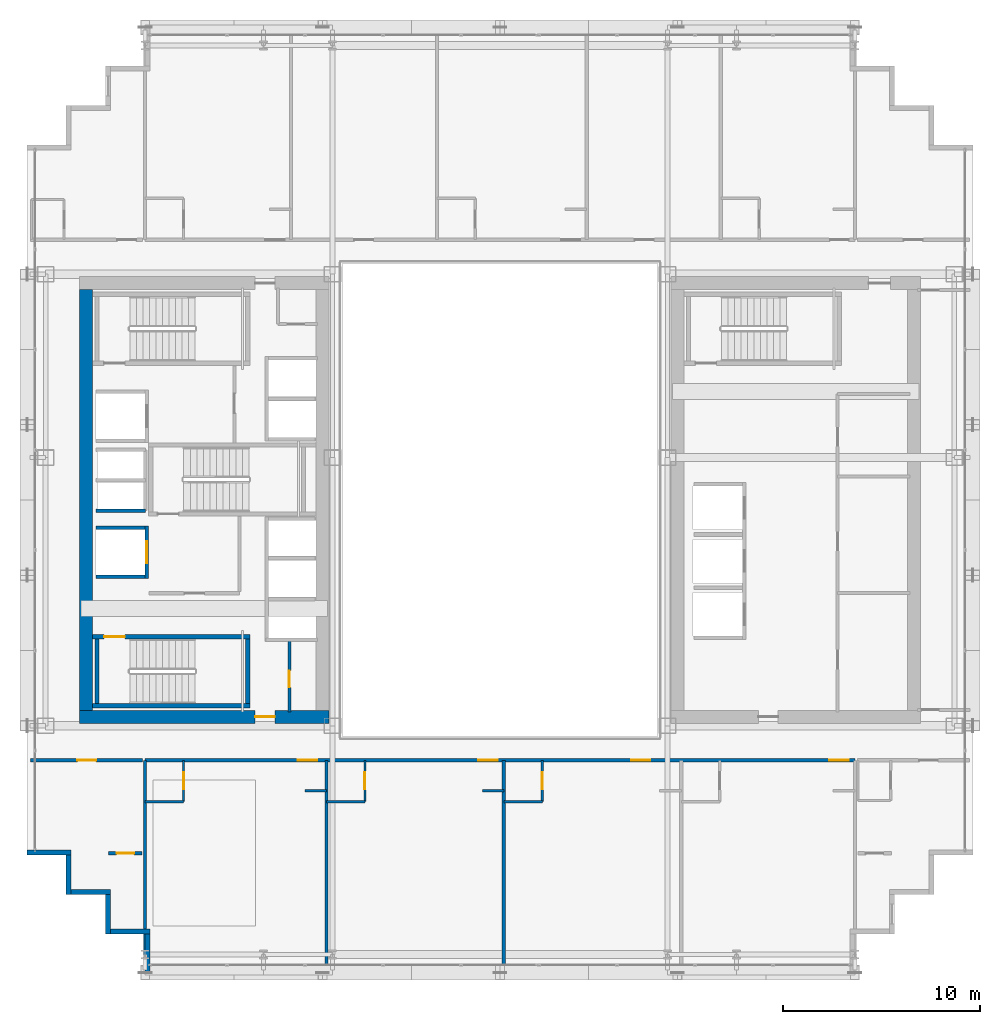
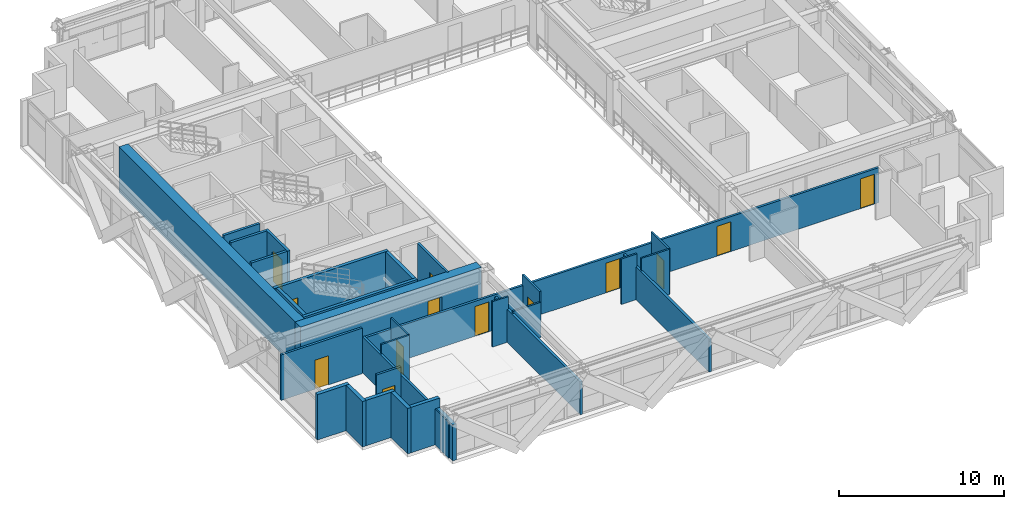
# One storey, part 27 of 35: 31 walls, 13 doors, 13 openings.
"""IFC4 building model written with IfcOpenShell, lengths in metres."""

from ifc_helpers import new_model, si_unit, direction, frame, frame_2d, origin, place, context, subcontext, project, spatial, rectangle, extrude, source, transform, mapped, material, layer, layer_set, type_object, element, fill, save


model = new_model("IFC4")

# Units and contexts
model_context = context("Model", 3, precision=1e-05, world=origin(), true_north=direction((0.0, 1.0)))
body_context = subcontext(model_context, "Body", "Model", "MODEL_VIEW")
ifc_project = project(units=[si_unit("LENGTHUNIT", "METRE"), si_unit("AREAUNIT", "SQUARE_METRE"), si_unit("VOLUMEUNIT", "CUBIC_METRE"), si_unit("PLANEANGLEUNIT", "RADIAN"), si_unit("MASSUNIT", "GRAM", prefix="KILO")], contexts=[model_context])

# Site, building, storey
site_placement = place(None, origin())
site = spatial("IfcSite", under=ifc_project, at=site_placement, CompositionType="ELEMENT")
building_placement = place(site_placement, origin())
building = spatial("IfcBuilding", under=site, at=building_placement, Name="Ocotamira Hotel", CompositionType="ELEMENT")
storey_placement = place(building_placement, frame((0.0, 0.0, 115.199951171875)))
storey = spatial("IfcBuildingStorey", under=building, at=storey_placement, Name="L28", CompositionType="ELEMENT", Elevation=115.199951171875)

# Wall, opening, door
ifc_material_1 = material(Name="Concrete C60/75", Category="concrete")
ifc_layer_1 = layer(ifc_material_1, 0.64990234375)
ifc_layer_set_1 = layer_set([ifc_layer_1], Name="Concrete C60/75")
wall_type_1 = type_object("IfcWallType", Name="WL-CORE-650", PredefinedType="SHEAR", material=ifc_layer_set_1)
wall_1_placement = place(storey_placement, frame((10.675048828125, 15.0, 0.0), z_axis=(0.0, 0.0, 1.0), x_axis=(1.0, 0.0, 0.0)))
wall_1 = element("IfcWall", 1, at=wall_1_placement, inside=storey, type_object=wall_type_1, Name="L28 Shear Core Wall WCORE-S", PredefinedType="SHEAR", context=body_context, shape_type="SweptSolid", body=[
    extrude(rectangle(XDim=12.64990234375, YDim=0.64990234375, at=frame_2d((6.324951171875, 0.0))), origin(), (0.0, 0.0, 1.0), 3.360107421875),
])
opening_1_placement = place(wall_1_placement, frame((8.905029296875, 0.0, 0.0)))
opening_1 = element("IfcOpeningElement", 2, at=opening_1_placement, cuts=wall_1, Name="Opening D-FR2", PredefinedType="OPENING", context=body_context, shape_type="SweptSolid", body=[
    extrude(rectangle(XDim=1.0, YDim=2.14990234375, at=frame_2d((0.5, 1.074951171875))), frame((0.0, 0.3349609375, 0.0), z_axis=(0.0, -1.0, 0.0), x_axis=(1.0, 0.0, 0.0)), (0.0, 0.0, 1.0), 0.669921875),
])
ifc_material_2 = material(Name="Fire-rated acoustic timber-veneer door", Category="wood")
door_type_1 = type_object("IfcDoorType", Name="DR-FIRE-1000", OperationType="NOTDEFINED", PredefinedType="DOOR", material=ifc_material_2)
shared_shape_1 = source(origin(), body_context, "Body", "SweptSolid", [
    extrude(rectangle(XDim=1.0, YDim=2.14990234375, at=frame_2d((0.5, 1.074951171875))), frame((0.0, 0.02490234375, 0.0), z_axis=(0.0, -1.0, 0.0), x_axis=(1.0, 0.0, 0.0)), (0.0, 0.0, 1.0), 0.050048828125),
])
door_1_placement = place(opening_1_placement, origin())
door_1 = element("IfcDoor", 3, at=door_1_placement, inside=storey, type_object=door_type_1, Name="L28 Door ID-L28-WLOB-S-D [ID-L28-WLOB-S-D]", OperationType="SINGLE_SWING_LEFT", OverallHeight=2.14990234375, OverallWidth=1.0, PredefinedType="DOOR", context=body_context, shape_type="MappedRepresentation", body=[
    mapped(shared_shape_1, transform((0.0, 0.0, 0.0), scale=1.0)),
])
fill(opening_1, door_1)

# Walls
wall_2_placement = place(storey_placement, frame((11.0, 15.324951171875, 0.0), z_axis=(0.0, 0.0, 1.0), x_axis=(0.0, 1.0, 0.0)))
element("IfcWall", 4, at=wall_2_placement, inside=storey, type_object=wall_type_1, Name="L28 Shear Core Wall WCORE-W", PredefinedType="SHEAR", context=body_context, shape_type="SweptSolid", body=[
    extrude(rectangle(XDim=21.35009765625, YDim=0.64990234375, at=frame_2d((10.675048828125, 0.0))), origin(), (0.0, 0.0, 1.0), 3.360107421875),
])
ifc_material_3 = material(Name="Precast concrete C45/55", Category="concrete")
ifc_layer_2 = layer(ifc_material_3, 0.25)
ifc_layer_set_2 = layer_set([ifc_layer_2], Name="Precast concrete C45/55")
wall_type_2 = type_object("IfcWallType", Name="WL-EXT-SER-250", PredefinedType="SOLIDWALL", material=ifc_layer_set_2)
wall_3_placement = place(storey_placement, frame((8.0, 8.125, 0.0), z_axis=(0.0, 0.0, 1.0), x_axis=(1.0, 0.0, 0.0)))
element("IfcWall", 5, at=wall_3_placement, inside=storey, type_object=wall_type_2, Name="L28 Serrated Corner Wall 19", PredefinedType="SOLIDWALL", context=body_context, shape_type="SweptSolid", body=[
    extrude(rectangle(XDim=2.25, YDim=0.25, at=frame_2d((1.125, 0.0))), origin(), (0.0, 0.0, 1.0), 3.360107421875),
])
for number, where, z_axis, x_axis, name in (
    (6, (10.125, 8.0, 0.0), (0.0, 0.0, 1.0), (0.0, -1.0, 0.0), "L28 Serrated Corner Wall 20"),
    (7, (10.25, 6.125, 0.0), (0.0, 0.0, 1.0), (1.0, 0.0, 0.0), "L28 Serrated Corner Wall 21"),
    (8, (12.125, 6.0, 0.0), (0.0, 0.0, 1.0), (0.0, -1.0, 0.0), "L28 Serrated Corner Wall 22"),
    (9, (12.25, 4.125, 0.0), (0.0, 0.0, 1.0), (1.0, 0.0, 0.0), "L28 Serrated Corner Wall 23"),
):
    element("IfcWall", number, at=place(storey_placement, frame(where, z_axis=z_axis, x_axis=x_axis)), inside=storey, type_object=wall_type_2, Name=name, PredefinedType="SOLIDWALL", context=body_context, shape_type="SweptSolid", body=[
        extrude(rectangle(XDim=2.0, YDim=0.25, at=frame_2d((1.0, 0.0))), origin(), (0.0, 0.0, 1.0), 3.360107421875),
    ])
wall_4_placement = place(storey_placement, frame((14.125, 4.0, 0.0), z_axis=(0.0, 0.0, 1.0), x_axis=(0.0, -1.0, 0.0)))
element("IfcWall", 10, at=wall_4_placement, inside=storey, type_object=wall_type_2, Name="L28 Serrated Corner Wall 24", PredefinedType="SOLIDWALL", context=body_context, shape_type="SweptSolid", body=[
    extrude(rectangle(XDim=2.0, YDim=0.25, at=frame_2d((1.0, 0.0))), origin(), (0.0, 0.0, 1.0), 2.6669921875),
])

# Wall, opening, door
ifc_material_4 = material(Name="Acoustic double-layer fire gypsum board partition", Category="gypsum")
ifc_layer_3 = layer(ifc_material_4, 0.159912109375)
ifc_layer_set_3 = layer_set([ifc_layer_3], Name="Acoustic double-layer fire gypsum board partition")
wall_type_3 = type_object("IfcWallType", Name="WL-FIRE-160", PredefinedType="PARTITIONING", material=ifc_layer_set_3)
wall_5_placement = place(storey_placement, frame((8.199951171875, 12.800048828125, 0.0), z_axis=(0.0, 0.0, 1.0), x_axis=(1.0, 0.0, 0.0)))
wall_5 = element("IfcWall", 11, at=wall_5_placement, inside=storey, type_object=wall_type_3, Name="L28 Interior Wall PW-L28-Z2B-CSW-CW", PredefinedType="PARTITIONING", context=body_context, shape_type="SweptSolid", body=[
    extrude(rectangle(XDim=5.679931640625, YDim=0.159912109375, at=frame_2d((2.83984375, 0.0))), origin(), (0.0, 0.0, 1.0), 3.360107421875),
])
opening_2_placement = place(wall_5_placement, frame((2.360107421875, 0.0, 0.0)))
opening_2 = element("IfcOpeningElement", 12, at=opening_2_placement, cuts=wall_5, Name="Opening D-SV4", PredefinedType="OPENING", context=body_context, shape_type="SweptSolid", body=[
    extrude(rectangle(XDim=0.9599609375, YDim=2.14990234375, at=frame_2d((0.47998046875, 1.074951171875))), frame((0.0, 0.08984375, 0.0), z_axis=(0.0, -1.0, 0.0), x_axis=(1.0, 0.0, 0.0)), (0.0, 0.0, 1.0), 0.179931640625),
])
ifc_material_5 = material(Name="Fire-rated accessible walnut salon door", Category="wood")
door_type_2 = type_object("IfcDoorType", Name="DR-SERV-960", OperationType="NOTDEFINED", PredefinedType="DOOR", material=ifc_material_5)
shared_shape_2 = source(origin(), body_context, "Body", "SweptSolid", [
    extrude(rectangle(XDim=0.9599609375, YDim=2.14990234375, at=frame_2d((0.47998046875, 1.074951171875))), frame((0.0, 0.02490234375, 0.0), z_axis=(0.0, -1.0, 0.0), x_axis=(1.0, 0.0, 0.0)), (0.0, 0.0, 1.0), 0.050048828125),
])
door_2_placement = place(opening_2_placement, origin())
door_2 = element("IfcDoor", 13, at=door_2_placement, inside=storey, type_object=door_type_2, Name="L28 Door ID-L28-Z2B-CSW-CD [ID-L28-Z2B-CSW-CD]", OperationType="SINGLE_SWING_LEFT", OverallHeight=2.14990234375, OverallWidth=0.9599609375, PredefinedType="DOOR", context=body_context, shape_type="MappedRepresentation", body=[
    mapped(shared_shape_2, transform((0.0, 0.0, 0.0), scale=1.0)),
])
fill(opening_2, door_2)

wall_6_placement = place(storey_placement, frame((12.14990234375, 8.080078125, 0.0), z_axis=(0.0, 0.0, 1.0), x_axis=(1.0, 0.0, 0.0)))
wall_6 = element("IfcWall", 14, at=wall_6_placement, inside=storey, type_object=wall_type_3, Name="L28 Interior Wall PW-L28-Z2B-CSW2-CW", PredefinedType="PARTITIONING", context=body_context, shape_type="SweptSolid", body=[
    extrude(rectangle(XDim=1.7001953125, YDim=0.159912109375, at=frame_2d((0.85009765625, 0.0))), origin(), (0.0, 0.0, 1.0), 3.360107421875),
])
opening_3_placement = place(wall_6_placement, frame((0.409912109375, 0.0, 0.0)))
opening_3 = element("IfcOpeningElement", 15, at=opening_3_placement, cuts=wall_6, Name="Opening D-SV2", PredefinedType="OPENING", context=body_context, shape_type="SweptSolid", body=[
    extrude(rectangle(XDim=0.8798828125, YDim=2.14990234375, at=frame_2d((0.43994140625, 1.074951171875))), frame((0.0, 0.08984375, 0.0), z_axis=(0.0, -1.0, 0.0), x_axis=(1.0, 0.0, 0.0)), (0.0, 0.0, 1.0), 0.179931640625),
])
ifc_material_6 = material(Name="Fire-rated painted steel service door", Category="steel")
door_type_3 = type_object("IfcDoorType", Name="DR-SERV-880", OperationType="NOTDEFINED", PredefinedType="DOOR", material=ifc_material_6)
shared_shape_3 = source(origin(), body_context, "Body", "SweptSolid", [
    extrude(rectangle(XDim=0.8798828125, YDim=2.14990234375, at=frame_2d((0.43994140625, 1.074951171875))), frame((0.0, 0.02490234375, 0.0), z_axis=(0.0, -1.0, 0.0), x_axis=(1.0, 0.0, 0.0)), (0.0, 0.0, 1.0), 0.050048828125),
])
door_3_placement = place(opening_3_placement, origin())
door_3 = element("IfcDoor", 16, at=door_3_placement, inside=storey, type_object=door_type_3, Name="L28 Door ID-L28-Z2B-CSW2-CD [ID-L28-Z2B-CSW2-CD]", OperationType="SINGLE_SWING_LEFT", OverallHeight=2.14990234375, OverallWidth=0.8798828125, PredefinedType="DOOR", context=body_context, shape_type="MappedRepresentation", body=[
    mapped(shared_shape_3, transform((0.0, 0.0, 0.0), scale=1.0)),
])
fill(opening_3, door_3)

# Wall, openings, doors
wall_7_placement = place(storey_placement, frame((14.0, 12.800048828125, 0.0), z_axis=(0.0, 0.0, 1.0), x_axis=(1.0, 0.0, 0.0)))
wall_7 = element("IfcWall", 17, at=wall_7_placement, inside=storey, type_object=wall_type_3, Name="L28 Interior Wall PW-L28-Z2BS-CORRW", PredefinedType="PARTITIONING", context=body_context, shape_type="SweptSolid", body=[
    extrude(rectangle(XDim=36.0, YDim=0.159912109375, at=frame_2d((18.0, 0.0))), origin(), (0.0, 0.0, 1.0), 2.5810546875),
])
opening_4_placement = place(wall_7_placement, frame((7.75, 0.0, 0.0)))
opening_4 = element("IfcOpeningElement", 18, at=opening_4_placement, cuts=wall_7, Name="Opening D-GR2", PredefinedType="OPENING", context=body_context, shape_type="SweptSolid", body=[
    extrude(rectangle(XDim=0.97998046875, YDim=2.199951171875, at=frame_2d((0.489990234375, 1.10009765625))), frame((0.0, 0.08984375, 0.0), z_axis=(0.0, -1.0, 0.0), x_axis=(1.0, 0.0, 0.0)), (0.0, 0.0, 1.0), 0.179931640625),
])
opening_5_placement = place(wall_7_placement, frame((16.89990234375, 0.0, 0.0)))
opening_5 = element("IfcOpeningElement", 19, at=opening_5_placement, cuts=wall_7, Name="Opening D-GR2", PredefinedType="OPENING", context=body_context, shape_type="SweptSolid", body=[
    extrude(rectangle(XDim=0.97998046875, YDim=2.199951171875, at=frame_2d((0.489990234375, 1.10009765625))), frame((0.0, 0.08984375, 0.0), z_axis=(0.0, -1.0, 0.0), x_axis=(1.0, 0.0, 0.0)), (0.0, 0.0, 1.0), 0.179931640625),
])
opening_6_placement = place(wall_7_placement, frame((24.64990234375, 0.0, 0.0)))
opening_6 = element("IfcOpeningElement", 20, at=opening_6_placement, cuts=wall_7, Name="Opening D-GR2", PredefinedType="OPENING", context=body_context, shape_type="SweptSolid", body=[
    extrude(rectangle(XDim=0.97998046875, YDim=2.199951171875, at=frame_2d((0.489990234375, 1.10009765625))), frame((0.0, 0.08984375, 0.0), z_axis=(0.0, -1.0, 0.0), x_axis=(1.0, 0.0, 0.0)), (0.0, 0.0, 1.0), 0.179931640625),
])
opening_7_placement = place(wall_7_placement, frame((34.699951171875, 0.0, 0.0)))
opening_7 = element("IfcOpeningElement", 21, at=opening_7_placement, cuts=wall_7, Name="Opening D-GR2", PredefinedType="OPENING", context=body_context, shape_type="SweptSolid", body=[
    extrude(rectangle(XDim=0.97998046875, YDim=2.199951171875, at=frame_2d((0.489990234375, 1.10009765625))), frame((0.0, 0.08984375, 0.0), z_axis=(0.0, -1.0, 0.0), x_axis=(1.0, 0.0, 0.0)), (0.0, 0.0, 1.0), 0.179931640625),
])
ifc_material_7 = material(Name="Solid-core walnut grand-suite entrance fire door", Category="wood")
door_type_4 = type_object("IfcDoorType", Name="DR-GUEST-980", OperationType="NOTDEFINED", PredefinedType="DOOR", material=ifc_material_7)
shared_shape_4 = source(origin(), body_context, "Body", "SweptSolid", [
    extrude(rectangle(XDim=0.97998046875, YDim=2.199951171875, at=frame_2d((0.489990234375, 1.10009765625))), frame((0.0, 0.02490234375, 0.0), z_axis=(0.0, -1.0, 0.0), x_axis=(1.0, 0.0, 0.0)), (0.0, 0.0, 1.0), 0.050048828125),
])
door_4_placement = place(opening_4_placement, origin())
door_4 = element("IfcDoor", 22, at=door_4_placement, inside=storey, type_object=door_type_4, Name="L28 Door ID-L28-Z2BS-RMD1 [ID-L28-Z2BS-RMD1]", OperationType="SINGLE_SWING_LEFT", OverallHeight=2.199951171875, OverallWidth=0.97998046875, PredefinedType="DOOR", context=body_context, shape_type="MappedRepresentation", body=[
    mapped(shared_shape_4, transform((0.0, 0.0, 0.0), scale=1.0)),
])
fill(opening_4, door_4)
door_5_placement = place(opening_5_placement, origin())
door_5 = element("IfcDoor", 23, at=door_5_placement, inside=storey, type_object=door_type_4, Name="L28 Door ID-L28-Z2BS-RMD2 [ID-L28-Z2BS-RMD2]", OperationType="SINGLE_SWING_RIGHT", OverallHeight=2.199951171875, OverallWidth=0.97998046875, PredefinedType="DOOR", context=body_context, shape_type="MappedRepresentation", body=[
    mapped(shared_shape_4, transform((0.0, 0.0, 0.0), scale=1.0)),
])
fill(opening_5, door_5)
door_6_placement = place(opening_6_placement, origin())
door_6 = element("IfcDoor", 24, at=door_6_placement, inside=storey, type_object=door_type_4, Name="L28 Door ID-L28-Z2BS-RMD3 [ID-L28-Z2BS-RMD3]", OperationType="SINGLE_SWING_LEFT", OverallHeight=2.199951171875, OverallWidth=0.97998046875, PredefinedType="DOOR", context=body_context, shape_type="MappedRepresentation", body=[
    mapped(shared_shape_4, transform((0.0, 0.0, 0.0), scale=1.0)),
])
fill(opening_6, door_6)
door_7_placement = place(opening_7_placement, origin())
door_7 = element("IfcDoor", 25, at=door_7_placement, inside=storey, type_object=door_type_4, Name="L28 Door ID-L28-Z2BS-RMD4 [ID-L28-Z2BS-RMD4]", OperationType="SINGLE_SWING_RIGHT", OverallHeight=2.199951171875, OverallWidth=0.97998046875, PredefinedType="DOOR", context=body_context, shape_type="MappedRepresentation", body=[
    mapped(shared_shape_4, transform((0.0, 0.0, 0.0), scale=1.0)),
])
fill(opening_7, door_7)

# Wall, opening, door
ifc_material_8 = material(Name="Moisture-resistant en-suite tile and gypsum partition", Category="gypsum")
ifc_layer_4 = layer(ifc_material_8, 0.1201171875)
ifc_layer_set_4 = layer_set([ifc_layer_4], Name="Moisture-resistant en-suite tile and gypsum partition")
wall_type_4 = type_object("IfcWallType", Name="WL-PART-120", PredefinedType="PARTITIONING", material=ifc_layer_set_4)
wall_8_placement = place(storey_placement, frame((15.949951171875, 10.699951171875, 0.0), z_axis=(0.0, 0.0, 1.0), x_axis=(0.0, 1.0, 0.0)))
wall_8 = element("IfcWall", 26, at=wall_8_placement, inside=storey, type_object=wall_type_4, Name="L28 Interior Wall PW-L28-Z2BS-BAE1", PredefinedType="PARTITIONING", context=body_context, shape_type="SweptSolid", body=[
    extrude(rectangle(XDim=2.10009765625, YDim=0.1201171875, at=frame_2d((1.050048828125, 0.0))), origin(), (0.0, 0.0, 1.0), 3.360107421875),
])
opening_8_placement = place(wall_8_placement, frame((0.6201171875, 0.0, 0.0)))
opening_8 = element("IfcOpeningElement", 27, at=opening_8_placement, cuts=wall_8, Name="Opening D-BA1", PredefinedType="OPENING", context=body_context, shape_type="SweptSolid", body=[
    extrude(rectangle(XDim=0.860107421875, YDim=2.10009765625, at=frame_2d((0.43017578125, 1.050048828125))), frame((0.0, 0.070068359375, 0.0), z_axis=(0.0, -1.0, 0.0), x_axis=(1.0, 0.0, 0.0)), (0.0, 0.0, 1.0), 0.14013671875),
])
ifc_material_9 = material(Name="Moisture-sealed en-suite timber door", Category="wood")
door_type_5 = type_object("IfcDoorType", Name="DR-BATH-860", OperationType="NOTDEFINED", PredefinedType="DOOR", material=ifc_material_9)
shared_shape_5 = source(origin(), body_context, "Body", "SweptSolid", [
    extrude(rectangle(XDim=0.860107421875, YDim=2.10009765625, at=frame_2d((0.43017578125, 1.050048828125))), frame((0.0, 0.02490234375, 0.0), z_axis=(0.0, -1.0, 0.0), x_axis=(1.0, 0.0, 0.0)), (0.0, 0.0, 1.0), 0.050048828125),
])
door_8_placement = place(opening_8_placement, origin())
door_8 = element("IfcDoor", 28, at=door_8_placement, inside=storey, type_object=door_type_5, Name="L28 Door ID-L28-Z2BS-BAD1 [ID-L28-Z2BS-BAD1]", OperationType="SINGLE_SWING_RIGHT", OverallHeight=2.10009765625, OverallWidth=0.860107421875, PredefinedType="DOOR", context=body_context, shape_type="MappedRepresentation", body=[
    mapped(shared_shape_5, transform((0.0, 0.0, 0.0), scale=1.0)),
])
fill(opening_8, door_8)

# Walls
wall_9_placement = place(storey_placement, frame((14.0, 10.699951171875, 0.0), z_axis=(0.0, 0.0, 1.0), x_axis=(1.0, 0.0, 0.0)))
element("IfcWall", 29, at=wall_9_placement, inside=storey, type_object=wall_type_4, Name="L28 Interior Wall PW-L28-Z2BS-BAS1", PredefinedType="PARTITIONING", context=body_context, shape_type="SweptSolid", body=[
    extrude(rectangle(XDim=1.949951171875, YDim=0.1201171875, at=frame_2d((0.97509765625, 0.0))), origin(), (0.0, 0.0, 1.0), 3.360107421875),
])
wall_10_placement = place(storey_placement, frame((22.10009765625, 11.25, 0.0), z_axis=(0.0, 0.0, 1.0), x_axis=(1.0, 0.0, 0.0)))
element("IfcWall", 30, at=wall_10_placement, inside=storey, type_object=wall_type_4, Name="L28 Interior Wall PW-L28-Z2BS-DRN1", PredefinedType="PARTITIONING", context=body_context, shape_type="SweptSolid", body=[
    extrude(rectangle(XDim=1.099853515625, YDim=0.1201171875, at=frame_2d((0.5498046875, 0.0))), origin(), (0.0, 0.0, 1.0), 3.360107421875),
])

# Wall, opening, door
wall_11_placement = place(storey_placement, frame((25.14990234375, 10.699951171875, 0.0), z_axis=(0.0, 0.0, 1.0), x_axis=(0.0, 1.0, 0.0)))
wall_11 = element("IfcWall", 31, at=wall_11_placement, inside=storey, type_object=wall_type_4, Name="L28 Interior Wall PW-L28-Z2BS-BAE2", PredefinedType="PARTITIONING", context=body_context, shape_type="SweptSolid", body=[
    extrude(rectangle(XDim=2.10009765625, YDim=0.1201171875, at=frame_2d((1.050048828125, 0.0))), origin(), (0.0, 0.0, 1.0), 3.360107421875),
])
opening_9_placement = place(wall_11_placement, frame((0.6201171875, 0.0, 0.0)))
opening_9 = element("IfcOpeningElement", 32, at=opening_9_placement, cuts=wall_11, Name="Opening D-BA1", PredefinedType="OPENING", context=body_context, shape_type="SweptSolid", body=[
    extrude(rectangle(XDim=0.860107421875, YDim=2.10009765625, at=frame_2d((0.43017578125, 1.050048828125))), frame((0.0, 0.070068359375, 0.0), z_axis=(0.0, -1.0, 0.0), x_axis=(1.0, 0.0, 0.0)), (0.0, 0.0, 1.0), 0.14013671875),
])
door_9_placement = place(opening_9_placement, origin())
door_9 = element("IfcDoor", 33, at=door_9_placement, inside=storey, type_object=door_type_5, Name="L28 Door ID-L28-Z2BS-BAD2 [ID-L28-Z2BS-BAD2]", OperationType="SINGLE_SWING_LEFT", OverallHeight=2.10009765625, OverallWidth=0.860107421875, PredefinedType="DOOR", context=body_context, shape_type="MappedRepresentation", body=[
    mapped(shared_shape_5, transform((0.0, 0.0, 0.0), scale=1.0)),
])
fill(opening_9, door_9)

# Walls
wall_12_placement = place(storey_placement, frame((23.199951171875, 10.699951171875, 0.0), z_axis=(0.0, 0.0, 1.0), x_axis=(1.0, 0.0, 0.0)))
element("IfcWall", 34, at=wall_12_placement, inside=storey, type_object=wall_type_4, Name="L28 Interior Wall PW-L28-Z2BS-BAS2", PredefinedType="PARTITIONING", context=body_context, shape_type="SweptSolid", body=[
    extrude(rectangle(XDim=1.949951171875, YDim=0.1201171875, at=frame_2d((0.97509765625, 0.0))), origin(), (0.0, 0.0, 1.0), 2.5810546875),
])
wall_13_placement = place(storey_placement, frame((31.10009765625, 11.25, 0.0), z_axis=(0.0, 0.0, 1.0), x_axis=(1.0, 0.0, 0.0)))
element("IfcWall", 35, at=wall_13_placement, inside=storey, type_object=wall_type_4, Name="L28 Interior Wall PW-L28-Z2BS-DRN2", PredefinedType="PARTITIONING", context=body_context, shape_type="SweptSolid", body=[
    extrude(rectangle(XDim=1.099853515625, YDim=0.1201171875, at=frame_2d((0.5498046875, 0.0))), origin(), (0.0, 0.0, 1.0), 3.360107421875),
])

# Wall, opening, door
wall_14_placement = place(storey_placement, frame((34.14990234375, 10.699951171875, 0.0), z_axis=(0.0, 0.0, 1.0), x_axis=(0.0, 1.0, 0.0)))
wall_14 = element("IfcWall", 36, at=wall_14_placement, inside=storey, type_object=wall_type_4, Name="L28 Interior Wall PW-L28-Z2BS-BAE3", PredefinedType="PARTITIONING", context=body_context, shape_type="SweptSolid", body=[
    extrude(rectangle(XDim=2.10009765625, YDim=0.1201171875, at=frame_2d((1.050048828125, 0.0))), origin(), (0.0, 0.0, 1.0), 3.360107421875),
])
opening_10_placement = place(wall_14_placement, frame((0.6201171875, 0.0, 0.0)))
opening_10 = element("IfcOpeningElement", 37, at=opening_10_placement, cuts=wall_14, Name="Opening D-BA1", PredefinedType="OPENING", context=body_context, shape_type="SweptSolid", body=[
    extrude(rectangle(XDim=0.860107421875, YDim=2.10009765625, at=frame_2d((0.43017578125, 1.050048828125))), frame((0.0, 0.070068359375, 0.0), z_axis=(0.0, -1.0, 0.0), x_axis=(1.0, 0.0, 0.0)), (0.0, 0.0, 1.0), 0.14013671875),
])
door_10_placement = place(opening_10_placement, origin())
door_10 = element("IfcDoor", 38, at=door_10_placement, inside=storey, type_object=door_type_5, Name="L28 Door ID-L28-Z2BS-BAD3 [ID-L28-Z2BS-BAD3]", OperationType="SINGLE_SWING_RIGHT", OverallHeight=2.10009765625, OverallWidth=0.860107421875, PredefinedType="DOOR", context=body_context, shape_type="MappedRepresentation", body=[
    mapped(shared_shape_5, transform((0.0, 0.0, 0.0), scale=1.0)),
])
fill(opening_10, door_10)

# Wall
wall_15_placement = place(storey_placement, frame((32.199951171875, 10.699951171875, 0.0), z_axis=(0.0, 0.0, 1.0), x_axis=(1.0, 0.0, 0.0)))
element("IfcWall", 39, at=wall_15_placement, inside=storey, type_object=wall_type_4, Name="L28 Interior Wall PW-L28-Z2BS-BAS3", PredefinedType="PARTITIONING", context=body_context, shape_type="SweptSolid", body=[
    extrude(rectangle(XDim=1.949951171875, YDim=0.1201171875, at=frame_2d((0.97509765625, 0.0))), origin(), (0.0, 0.0, 1.0), 3.360107421875),
])

# Wall, opening, door
ifc_material_10 = material(Name="Acoustic hospitality gypsum board partition", Category="gypsum")
ifc_layer_5 = layer(ifc_material_10, 0.14208984375)
ifc_layer_set_5 = layer_set([ifc_layer_5], Name="Acoustic hospitality gypsum board partition")
wall_type_5 = type_object("IfcWallType", Name="WL-PART-142", PredefinedType="PARTITIONING", material=ifc_layer_set_5)
wall_16_placement = place(storey_placement, frame((21.320068359375, 15.25, 0.0), z_axis=(0.0, 0.0, 1.0), x_axis=(0.0, 1.0, 0.0)))
wall_16 = element("IfcWall", 40, at=wall_16_placement, inside=storey, type_object=wall_type_5, Name="L28 Interior Wall PW-L28-WC-SE-W", PredefinedType="PARTITIONING", context=body_context, shape_type="SweptSolid", body=[
    extrude(rectangle(XDim=3.590087890625, YDim=0.14208984375, at=frame_2d((1.794921875, 0.0))), origin(), (0.0, 0.0, 1.0), 3.360107421875),
])
opening_11_placement = place(wall_16_placement, frame((1.25, 0.0, 0.0)))
opening_11 = element("IfcOpeningElement", 41, at=opening_11_placement, cuts=wall_16, Name="Opening D-SV1", PredefinedType="OPENING", context=body_context, shape_type="SweptSolid", body=[
    extrude(rectangle(XDim=0.840087890625, YDim=2.10009765625, at=frame_2d((0.419921875, 1.050048828125))), frame((0.0, 0.0810546875, 0.0), z_axis=(0.0, -1.0, 0.0), x_axis=(1.0, 0.0, 0.0)), (0.0, 0.0, 1.0), 0.162109375),
])
door_type_6 = type_object("IfcDoorType", Name="DR-SERV-840", OperationType="NOTDEFINED", PredefinedType="DOOR", material=ifc_material_6)
shared_shape_6 = source(origin(), body_context, "Body", "SweptSolid", [
    extrude(rectangle(XDim=0.840087890625, YDim=2.10009765625, at=frame_2d((0.419921875, 1.050048828125))), frame((0.0, 0.02490234375, 0.0), z_axis=(0.0, -1.0, 0.0), x_axis=(1.0, 0.0, 0.0)), (0.0, 0.0, 1.0), 0.050048828125),
])
door_11_placement = place(opening_11_placement, origin())
door_11 = element("IfcDoor", 42, at=door_11_placement, inside=storey, type_object=door_type_6, Name="L28 Door ID-L28-WC-SE-D [ID-L28-WC-SE-D]", OperationType="SINGLE_SWING_RIGHT", OverallHeight=2.10009765625, OverallWidth=0.840087890625, PredefinedType="DOOR", context=body_context, shape_type="MappedRepresentation", body=[
    mapped(shared_shape_6, transform((0.0, 0.0, 0.0), scale=1.0)),
])
fill(opening_11, door_11)

# Walls
ifc_material_11 = material(Name="Acoustic double-stud hospitality gypsum partition", Category="gypsum")
ifc_layer_6 = layer(ifc_material_11, 0.159912109375)
ifc_layer_set_6 = layer_set([ifc_layer_6], Name="Acoustic double-stud hospitality gypsum partition")
wall_type_6 = type_object("IfcWallType", Name="WL-PART-160", PredefinedType="PARTITIONING", material=ifc_layer_set_6)
wall_17_placement = place(storey_placement, frame((14.0, 2.360107421875, 0.0), z_axis=(0.0, 0.0, 1.0), x_axis=(0.0, 1.0, 0.0)))
element("IfcWall", 43, at=wall_17_placement, inside=storey, type_object=wall_type_6, Name="L28 Interior Wall PW-L28-Z2BS-PW0", PredefinedType="PARTITIONING", context=body_context, shape_type="SweptSolid", body=[
    extrude(rectangle(XDim=10.43994140625, YDim=0.159912109375, at=frame_2d((5.219970703125, 0.0))), origin(), (0.0, 0.0, 1.0), 2.6669921875),
])
ifc_material_12 = material(Name="Double-stud suite party gypsum partition", Category="gypsum")
ifc_layer_7 = layer(ifc_material_12, 0.175048828125)
ifc_layer_set_7 = layer_set([ifc_layer_7], Name="Double-stud suite party gypsum partition")
wall_type_7 = type_object("IfcWallType", Name="WL-PART-175", PredefinedType="PARTITIONING", material=ifc_layer_set_7)
for number, where, z_axis, x_axis, name in (
    (44, (23.199951171875, 2.360107421875, 0.0), (0.0, 0.0, 1.0), (0.0, 1.0, 0.0), "L28 Interior Wall PW-L28-Z2BS-PW1"),
    (45, (32.199951171875, 2.360107421875, 0.0), (0.0, 0.0, 1.0), (0.0, 1.0, 0.0), "L28 Interior Wall PW-L28-Z2BS-PW2"),
):
    element("IfcWall", number, at=place(storey_placement, frame(where, z_axis=z_axis, x_axis=x_axis)), inside=storey, type_object=wall_type_7, Name=name, PredefinedType="PARTITIONING", context=body_context, shape_type="SweptSolid", body=[
        extrude(rectangle(XDim=10.43994140625, YDim=0.175048828125, at=frame_2d((5.219970703125, 0.0))), origin(), (0.0, 0.0, 1.0), 2.43310546875),
    ])
ifc_material_13 = material(Name="Fire-rated gypsum shaftliner board assembly", Category="gypsum")
ifc_layer_8 = layer(ifc_material_13, 0.179931640625)
ifc_layer_set_8 = layer_set([ifc_layer_8], Name="Fire-rated gypsum shaftliner board assembly")
wall_type_8 = type_object("IfcWallType", Name="WL-SHAFT-180", PredefinedType="SOLIDWALL", material=ifc_layer_set_8)
for number, where, z_axis, x_axis, name in (
    (46, (11.5, 22.110107421875, 0.0), (0.0, 0.0, 1.0), (1.0, 0.0, 0.0), "L28 Interior Wall PW-L28-LFW-LF-FSAE1-S"),
    (47, (11.5, 24.590087890625, 0.0), (0.0, 0.0, 1.0), (1.0, 0.0, 0.0), "L28 Interior Wall PW-L28-LFW-LF-FSAE1-N"),
):
    element("IfcWall", number, at=place(storey_placement, frame(where, z_axis=z_axis, x_axis=x_axis)), inside=storey, type_object=wall_type_8, Name=name, PredefinedType="SOLIDWALL", context=body_context, shape_type="SweptSolid", body=[
        extrude(rectangle(XDim=2.5, YDim=0.179931640625, at=frame_2d((1.25, 0.0))), origin(), (0.0, 0.0, 1.0), 3.360107421875),
    ])

# Wall, opening, door
wall_18_placement = place(storey_placement, frame((14.090087890625, 22.02001953125, 0.0), z_axis=(0.0, 0.0, 1.0), x_axis=(0.0, 1.0, 0.0)))
wall_18 = element("IfcWall", 48, at=wall_18_placement, inside=storey, type_object=wall_type_8, Name="L28 Interior Wall PW-L28-LFW-LF-FSAE1-E", PredefinedType="SOLIDWALL", context=body_context, shape_type="SweptSolid", body=[
    extrude(rectangle(XDim=2.659912109375, YDim=0.179931640625, at=frame_2d((1.330078125, 0.0))), origin(), (0.0, 0.0, 1.0), 3.360107421875),
])
opening_12_placement = place(wall_18_placement, frame((0.780029296875, 0.0, 0.0)))
opening_12 = element("IfcOpeningElement", 49, at=opening_12_placement, cuts=wall_18, Name="Opening LD-LF-FSAE1", PredefinedType="OPENING", context=body_context, shape_type="SweptSolid", body=[
    extrude(rectangle(XDim=1.10009765625, YDim=2.199951171875, at=frame_2d((0.550048828125, 1.10009765625))), frame((0.0, 0.10009765625, 0.0), z_axis=(0.0, -1.0, 0.0), x_axis=(1.0, 0.0, 0.0)), (0.0, 0.0, 1.0), 0.199951171875),
])
ifc_material_14 = material(Name="Brushed pale-metal stainless elevator landing door", Category="steel")
door_type_7 = type_object("IfcDoorType", Name="DR-LIFT-1100", OperationType="NOTDEFINED", PredefinedType="DOOR", material=ifc_material_14)
shared_shape_7 = source(origin(), body_context, "Body", "SweptSolid", [
    extrude(rectangle(XDim=1.10009765625, YDim=2.199951171875, at=frame_2d((0.550048828125, 1.10009765625))), frame((0.0, 0.02490234375, 0.0), z_axis=(0.0, -1.0, 0.0), x_axis=(1.0, 0.0, 0.0)), (0.0, 0.0, 1.0), 0.050048828125),
])
door_12_placement = place(opening_12_placement, origin())
door_12 = element("IfcDoor", 50, at=door_12_placement, inside=storey, type_object=door_type_7, Name="L28 Landing Door LD-LF-FSAE1 [ID-L28-LD-LF-FSAE1]", OperationType="DOUBLE_DOOR_SLIDING", OverallHeight=2.199951171875, OverallWidth=1.10009765625, PredefinedType="DOOR", context=body_context, shape_type="MappedRepresentation", body=[
    mapped(shared_shape_7, transform((0.0, 0.0, 0.0), scale=1.0)),
])
fill(opening_12, door_12)

# Walls
wall_19_placement = place(storey_placement, frame((11.5, 25.4599609375, 0.0), z_axis=(0.0, 0.0, 1.0), x_axis=(1.0, 0.0, 0.0)))
element("IfcWall", 51, at=wall_19_placement, inside=storey, type_object=wall_type_8, Name="L28 Interior Wall PW-L28-RSW-S", PredefinedType="SOLIDWALL", context=body_context, shape_type="SweptSolid", body=[
    extrude(rectangle(XDim=2.510009765625, YDim=0.179931640625, at=frame_2d((1.2548828125, 0.0))), origin(), (0.0, 0.0, 1.0), 3.360107421875),
])
ifc_material_15 = material(Name="Concrete C50/60", Category="concrete")
ifc_layer_9 = layer(ifc_material_15, 0.219970703125)
ifc_layer_set_9 = layer_set([ifc_layer_9], Name="Concrete C50/60")
wall_type_9 = type_object("IfcWallType", Name="WL-STAIR-220", PredefinedType="SHEAR", material=ifc_layer_set_9)
wall_20_placement = place(storey_placement, frame((11.324951171875, 15.56005859375, 0.0), z_axis=(0.0, 0.0, 1.0), x_axis=(1.0, 0.0, 0.0)))
element("IfcWall", 52, at=wall_20_placement, inside=storey, type_object=wall_type_9, Name="L28 Stair Shaft Structural Wall ST-1-S", PredefinedType="SHEAR", context=body_context, shape_type="SweptSolid", body=[
    extrude(rectangle(XDim=7.985107421875, YDim=0.219970703125, at=frame_2d((3.99267578125, 0.0))), origin(), (0.0, 0.0, 1.0), 3.400146484375),
])

# Wall, opening, door
wall_21_placement = place(storey_placement, frame((11.324951171875, 19.06005859375, 0.0), z_axis=(0.0, 0.0, 1.0), x_axis=(1.0, 0.0, 0.0)))
wall_21 = element("IfcWall", 53, at=wall_21_placement, inside=storey, type_object=wall_type_9, Name="L28 Stair Shaft Structural Wall ST-1-N", PredefinedType="SHEAR", context=body_context, shape_type="SweptSolid", body=[
    extrude(rectangle(XDim=7.985107421875, YDim=0.219970703125, at=frame_2d((3.99267578125, 0.0))), origin(), (0.0, 0.0, 1.0), 3.400146484375),
])
opening_13_placement = place(wall_21_placement, frame((0.594970703125, 0.0, 0.0)))
opening_13 = element("IfcOpeningElement", 54, at=opening_13_placement, cuts=wall_21, Name="Opening D-ST2", PredefinedType="OPENING", context=body_context, shape_type="SweptSolid", body=[
    extrude(rectangle(XDim=1.050048828125, YDim=2.14990234375, at=frame_2d((0.52490234375, 1.074951171875))), frame((0.0, 0.1201171875, 0.0), z_axis=(0.0, -1.0, 0.0), x_axis=(1.0, 0.0, 0.0)), (0.0, 0.0, 1.0), 0.239990234375),
])
ifc_material_16 = material(Name="Insulated painted hollow-metal fire exit door", Category="steel")
door_type_8 = type_object("IfcDoorType", Name="DR-STAIR-1050", OperationType="NOTDEFINED", PredefinedType="DOOR", material=ifc_material_16)
shared_shape_8 = source(origin(), body_context, "Body", "SweptSolid", [
    extrude(rectangle(XDim=1.050048828125, YDim=2.14990234375, at=frame_2d((0.52490234375, 1.074951171875))), frame((0.0, 0.02490234375, 0.0), z_axis=(0.0, -1.0, 0.0), x_axis=(1.0, 0.0, 0.0)), (0.0, 0.0, 1.0), 0.050048828125),
])
door_13_placement = place(opening_13_placement, origin())
door_13 = element("IfcDoor", 55, at=door_13_placement, inside=storey, type_object=door_type_8, Name="L28 Door ID-L28-STD-ST-1 [ID-L28-STD-ST-1]", OperationType="SINGLE_SWING_LEFT", OverallHeight=2.14990234375, OverallWidth=1.050048828125, PredefinedType="DOOR", context=body_context, shape_type="MappedRepresentation", body=[
    mapped(shared_shape_8, transform((0.0, 0.0, 0.0), scale=1.0)),
])
fill(opening_13, door_13)

# Walls
for number, where, z_axis, x_axis, name in (
    (56, (11.56005859375, 15.669921875, 0.0), (0.0, 0.0, 1.0), (0.0, 1.0, 0.0), "L28 Stair Shaft Structural Wall ST-1-W"),
    (57, (19.199951171875, 15.669921875, 0.0), (0.0, 0.0, 1.0), (0.0, 1.0, 0.0), "L28 Stair Shaft Structural Wall ST-1-E"),
):
    element("IfcWall", number, at=place(storey_placement, frame(where, z_axis=z_axis, x_axis=x_axis)), inside=storey, type_object=wall_type_9, Name=name, PredefinedType="SHEAR", context=body_context, shape_type="SweptSolid", body=[
        extrude(rectangle(XDim=3.280029296875, YDim=0.219970703125, at=frame_2d((1.64013671875, 0.0))), origin(), (0.0, 0.0, 1.0), 3.400146484375),
    ])

save(model, "model.ifc")
